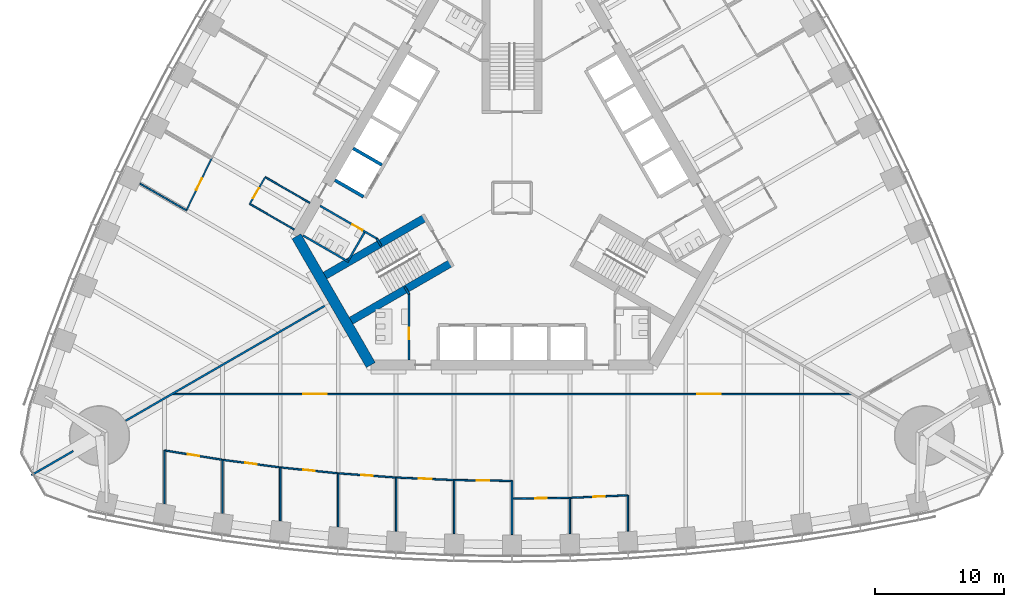
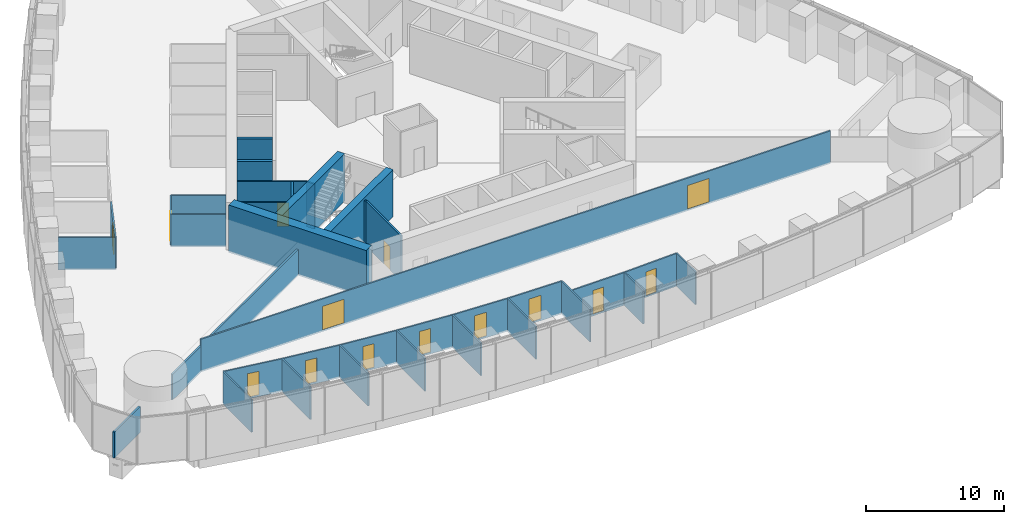
# One storey, part 10 of 18: 36 walls, 14 doors, 14 openings.
"""IFC4 building model written with IfcOpenShell, lengths in metres."""

from ifc_helpers import new_model, si_unit, direction, frame, frame_2d, origin, place, context, subcontext, project, spatial, rectangle, extrude, material, layer, layer_set, type_object, element, fill, save


model = new_model("IFC4")

# Units and contexts
model_context = context("Model", 3, precision=1e-05, world=origin(), true_north=direction((0.0, 1.0)))
body_context = subcontext(model_context, "Body", "Model", "MODEL_VIEW")
ifc_project = project(units=[si_unit("LENGTHUNIT", "METRE"), si_unit("AREAUNIT", "SQUARE_METRE"), si_unit("VOLUMEUNIT", "CUBIC_METRE"), si_unit("PLANEANGLEUNIT", "RADIAN"), si_unit("MASSUNIT", "GRAM", prefix="KILO")], contexts=[model_context])

# Site, building, storey
site_placement = place(None, origin())
site = spatial("IfcSite", under=ifc_project, at=site_placement, CompositionType="ELEMENT")
building_placement = place(site_placement, origin())
building = spatial("IfcBuilding", under=site, at=building_placement, Name="Trefoil Bronze Tower", CompositionType="ELEMENT")
storey_placement = place(building_placement, frame((0.0, 0.0, 33.300048828125)))
storey = spatial("IfcBuildingStorey", under=building, at=storey_placement, Name="L07", CompositionType="ELEMENT", Elevation=33.300048828125)

# Wall
ifc_material_1 = material(Name="Concrete B80", Category="concrete")
ifc_layer_1 = layer(ifc_material_1, 0.800048828125)
ifc_layer_set_1 = layer_set([ifc_layer_1], Name="Core wall 800")
wall_type_1 = type_object("IfcWallType", Name="Core wall 800", PredefinedType="SHEAR", material=ifc_layer_set_1)
wall_1_placement = place(storey_placement, frame((-16.7431640625, -3.0, 0.0), z_axis=(0.0, 0.0, 1.0), x_axis=(0.499995765644, -0.866027848477, 0.0)))
element("IfcWall", 1, at=wall_1_placement, inside=storey, type_object=wall_type_1, Name="Core short wall 3 L07", PredefinedType="SHEAR", context=body_context, shape_type="SweptSolid", body=[
    extrude(rectangle(XDim=11.546875, YDim=0.800048828125, at=frame_2d((5.7734375, 0.0))), origin(), (0.0, 0.0, 1.0), 4.199951171875),
])

# Wall, openings, doors
ifc_material_2 = material(Name="Glazed partition", Category="glass")
ifc_layer_2 = layer(ifc_material_2, 0.1201171875)
ifc_layer_set_2 = layer_set([ifc_layer_2], Name="Glazed partition 120")
wall_type_2 = type_object("IfcWallType", Name="Glazed partition 120", PredefinedType="PARTITIONING", material=ifc_layer_set_2)
wall_2_placement = place(storey_placement, frame((-26.398193359375, -15.260009765625, 0.0), z_axis=(0.0, 0.0, 1.0), x_axis=(1.0, 0.0, 0.0)))
wall_2 = element("IfcWall", 2, at=wall_2_placement, inside=storey, type_object=wall_type_2, Name="Partition F1 L07", PredefinedType="PARTITIONING", context=body_context, shape_type="SweptSolid", body=[
    extrude(rectangle(XDim=52.79638671875, YDim=0.1201171875, at=frame_2d((26.398193359375, 0.0))), origin(), (0.0, 0.0, 1.0), 2.89990234375),
])
opening_1_placement = place(wall_2_placement, frame((10.199951171875, 0.0, 0.14990234375)))
opening_1 = element("IfcOpeningElement", 3, at=opening_1_placement, cuts=wall_2, Name="Opening D10", PredefinedType="OPENING", context=body_context, shape_type="SweptSolid", body=[
    extrude(rectangle(XDim=1.800048828125, YDim=2.10009765625, at=frame_2d((0.89990234375, 1.050048828125))), frame((0.0, 0.070068359375, 0.0), z_axis=(0.0, -1.0, 0.0), x_axis=(1.0, 0.0, 0.0)), (0.0, 0.0, 1.0), 0.14013671875),
])
opening_2_placement = place(wall_2_placement, frame((40.800048828125, 0.0, 0.14990234375)))
opening_2 = element("IfcOpeningElement", 4, at=opening_2_placement, cuts=wall_2, Name="Opening D10", PredefinedType="OPENING", context=body_context, shape_type="SweptSolid", body=[
    extrude(rectangle(XDim=1.800048828125, YDim=2.10009765625, at=frame_2d((0.89990234375, 1.050048828125))), frame((0.0, 0.070068359375, 0.0), z_axis=(0.0, -1.0, 0.0), x_axis=(1.0, 0.0, 0.0)), (0.0, 0.0, 1.0), 0.14013671875),
])
ifc_material_3 = material(Name="Timber door", Category="wood")
door_type_1 = type_object("IfcDoorType", Name="Double door 1800", OperationType="DOUBLE_DOOR_SINGLE_SWING", PredefinedType="DOOR", material=ifc_material_3)
door_1_placement = place(opening_1_placement, origin())
door_1 = element("IfcDoor", 5, at=door_1_placement, inside=storey, type_object=door_type_1, Name="Corridor door F1 L07", OperationType="DOUBLE_DOOR_SINGLE_SWING", OverallHeight=2.10009765625, OverallWidth=1.800048828125, PredefinedType="DOOR", context=body_context, shape_type="SweptSolid", body=[
    extrude(rectangle(XDim=1.800048828125, YDim=2.10009765625, at=frame_2d((0.89990234375, 1.050048828125))), frame((0.0, 0.02490234375, 0.0), z_axis=(0.0, -1.0, 0.0), x_axis=(1.0, 0.0, 0.0)), (0.0, 0.0, 1.0), 0.050048828125),
])
fill(opening_1, door_1)
door_2_placement = place(opening_2_placement, origin())
door_2 = element("IfcDoor", 6, at=door_2_placement, inside=storey, type_object=door_type_1, Name="Corridor door F1 L07", OperationType="DOUBLE_DOOR_SINGLE_SWING", OverallHeight=2.10009765625, OverallWidth=1.800048828125, PredefinedType="DOOR", context=body_context, shape_type="SweptSolid", body=[
    extrude(rectangle(XDim=1.800048828125, YDim=2.10009765625, at=frame_2d((0.89990234375, 1.050048828125))), frame((0.0, 0.02490234375, 0.0), z_axis=(0.0, -1.0, 0.0), x_axis=(1.0, 0.0, 0.0)), (0.0, 0.0, 1.0), 0.050048828125),
])
fill(opening_2, door_2)

# Wall, opening, door
wall_3_placement = place(storey_placement, frame((0.0, -23.378662109375, 0.0), z_axis=(0.0, 0.0, 1.0), x_axis=(0.999895099088, 0.014484157523, 0.0)))
wall_3 = element("IfcWall", 7, at=wall_3_placement, inside=storey, type_object=wall_type_2, Name="Partition F1 L07", PredefinedType="PARTITIONING", context=body_context, shape_type="SweptSolid", body=[
    extrude(rectangle(XDim=4.50048828125, YDim=0.1201171875, at=frame_2d((2.250244140625, 0.0))), origin(), (0.0, 0.0, 1.0), 2.89990234375),
])
opening_3_placement = place(wall_3_placement, frame((1.800048828125, 0.0, 0.14990234375)))
opening_3 = element("IfcOpeningElement", 8, at=opening_3_placement, cuts=wall_3, Name="Opening D8", PredefinedType="OPENING", context=body_context, shape_type="SweptSolid", body=[
    extrude(rectangle(XDim=0.89990234375, YDim=2.10009765625, at=frame_2d((0.449951171875, 1.050048828125))), frame((0.0, 0.070068359375, 0.0), z_axis=(0.0, -1.0, 0.0), x_axis=(1.0, 0.0, 0.0)), (0.0, 0.0, 1.0), 0.14013671875),
])
ifc_material_4 = material(Name="Timber door", Category="wood")
door_type_2 = type_object("IfcDoorType", Name="Office door 900", OperationType="SINGLE_SWING_LEFT", PredefinedType="DOOR", material=ifc_material_4)
door_3_placement = place(opening_3_placement, frame((0.89990234375, 0.0, 0.0), z_axis=(0.0, 0.0, 1.0), x_axis=(-1.0, 0.0, 0.0)))
door_3 = element("IfcDoor", 9, at=door_3_placement, inside=storey, type_object=door_type_2, Name="Pantry door F1 L07", OperationType="SINGLE_SWING_RIGHT", OverallHeight=2.10009765625, OverallWidth=0.89990234375, PredefinedType="DOOR", context=body_context, shape_type="SweptSolid", body=[
    extrude(rectangle(XDim=0.89990234375, YDim=2.10009765625, at=frame_2d((0.449951171875, 1.050048828125))), frame((0.0, 0.02490234375, 0.0), z_axis=(0.0, -1.0, 0.0), x_axis=(1.0, 0.0, 0.0)), (0.0, 0.0, 1.0), 0.050048828125),
])
fill(opening_3, door_3)

wall_4_placement = place(storey_placement, frame((4.5, -23.3134765625, 0.0), z_axis=(0.0, 0.0, 1.0), x_axis=(0.999052370647, 0.043524254212, 0.0)))
wall_4 = element("IfcWall", 10, at=wall_4_placement, inside=storey, type_object=wall_type_2, Name="Partition F1 L07", PredefinedType="PARTITIONING", context=body_context, shape_type="SweptSolid", body=[
    extrude(rectangle(XDim=4.504150390625, YDim=0.1201171875, at=frame_2d((2.251953125, 0.0))), origin(), (0.0, 0.0, 1.0), 2.89990234375),
])
opening_4_placement = place(wall_4_placement, frame((1.800048828125, 0.0, 0.14990234375)))
opening_4 = element("IfcOpeningElement", 11, at=opening_4_placement, cuts=wall_4, Name="Opening D8", PredefinedType="OPENING", context=body_context, shape_type="SweptSolid", body=[
    extrude(rectangle(XDim=0.89990234375, YDim=2.10009765625, at=frame_2d((0.449951171875, 1.050048828125))), frame((0.0, 0.070068359375, 0.0), z_axis=(0.0, -1.0, 0.0), x_axis=(1.0, 0.0, 0.0)), (0.0, 0.0, 1.0), 0.14013671875),
])
door_4_placement = place(opening_4_placement, frame((0.89990234375, 0.0, 0.0), z_axis=(0.0, 0.0, 1.0), x_axis=(-1.0, 0.0, 0.0)))
door_4 = element("IfcDoor", 12, at=door_4_placement, inside=storey, type_object=door_type_2, Name="Pantry door F1 L07", OperationType="SINGLE_SWING_RIGHT", OverallHeight=2.10009765625, OverallWidth=0.89990234375, PredefinedType="DOOR", context=body_context, shape_type="SweptSolid", body=[
    extrude(rectangle(XDim=0.89990234375, YDim=2.10009765625, at=frame_2d((0.449951171875, 1.050048828125))), frame((0.0, 0.02490234375, 0.0), z_axis=(0.0, -1.0, 0.0), x_axis=(1.0, 0.0, 0.0)), (0.0, 0.0, 1.0), 0.050048828125),
])
fill(opening_4, door_4)

wall_5_placement = place(storey_placement, frame((-13.5, -21.409912109375, 0.0), z_axis=(0.0, 0.0, 1.0), x_axis=(0.997363894896, -0.072562119306, 0.0)))
wall_5 = element("IfcWall", 13, at=wall_5_placement, inside=storey, type_object=wall_type_2, Name="Partition F1 L07", PredefinedType="PARTITIONING", context=body_context, shape_type="SweptSolid", body=[
    extrude(rectangle(XDim=4.511962890625, YDim=0.1201171875, at=frame_2d((2.255859375, 0.0))), origin(), (0.0, 0.0, 1.0), 2.89990234375),
])
opening_5_placement = place(wall_5_placement, frame((1.800048828125, 0.0, 0.14990234375)))
opening_5 = element("IfcOpeningElement", 14, at=opening_5_placement, cuts=wall_5, Name="Opening D8", PredefinedType="OPENING", context=body_context, shape_type="SweptSolid", body=[
    extrude(rectangle(XDim=0.89990234375, YDim=2.10009765625, at=frame_2d((0.449951171875, 1.050048828125))), frame((0.0, 0.070068359375, 0.0), z_axis=(0.0, -1.0, 0.0), x_axis=(1.0, 0.0, 0.0)), (0.0, 0.0, 1.0), 0.14013671875),
])
door_5_placement = place(opening_5_placement, frame((0.89990234375, 0.0, 0.0), z_axis=(0.0, 0.0, 1.0), x_axis=(-1.0, 0.0, 0.0)))
door_5 = element("IfcDoor", 15, at=door_5_placement, inside=storey, type_object=door_type_2, Name="Office door F1 L07", OperationType="SINGLE_SWING_RIGHT", OverallHeight=2.10009765625, OverallWidth=0.89990234375, PredefinedType="DOOR", context=body_context, shape_type="SweptSolid", body=[
    extrude(rectangle(XDim=0.89990234375, YDim=2.10009765625, at=frame_2d((0.449951171875, 1.050048828125))), frame((0.0, 0.02490234375, 0.0), z_axis=(0.0, -1.0, 0.0), x_axis=(1.0, 0.0, 0.0)), (0.0, 0.0, 1.0), 0.050048828125),
])
fill(opening_5, door_5)

wall_6_placement = place(storey_placement, frame((-18.0, -20.95068359375, 0.0), z_axis=(0.0, 0.0, 1.0), x_axis=(0.994833141332, -0.101523499286, 0.0)))
wall_6 = element("IfcWall", 16, at=wall_6_placement, inside=storey, type_object=wall_type_2, Name="Partition F1 L07", PredefinedType="PARTITIONING", context=body_context, shape_type="SweptSolid", body=[
    extrude(rectangle(XDim=4.5234375, YDim=0.1201171875, at=frame_2d((2.26171875, 0.0))), origin(), (0.0, 0.0, 1.0), 2.89990234375),
])
opening_6_placement = place(wall_6_placement, frame((1.800048828125, 0.0, 0.14990234375)))
opening_6 = element("IfcOpeningElement", 17, at=opening_6_placement, cuts=wall_6, Name="Opening D8", PredefinedType="OPENING", context=body_context, shape_type="SweptSolid", body=[
    extrude(rectangle(XDim=0.89990234375, YDim=2.10009765625, at=frame_2d((0.449951171875, 1.050048828125))), frame((0.0, 0.070068359375, 0.0), z_axis=(0.0, -1.0, 0.0), x_axis=(1.0, 0.0, 0.0)), (0.0, 0.0, 1.0), 0.14013671875),
])
door_6_placement = place(opening_6_placement, frame((0.89990234375, 0.0, 0.0), z_axis=(0.0, 0.0, 1.0), x_axis=(-1.0, 0.0, 0.0)))
door_6 = element("IfcDoor", 18, at=door_6_placement, inside=storey, type_object=door_type_2, Name="Office door F1 L07", OperationType="SINGLE_SWING_RIGHT", OverallHeight=2.10009765625, OverallWidth=0.89990234375, PredefinedType="DOOR", context=body_context, shape_type="SweptSolid", body=[
    extrude(rectangle(XDim=0.89990234375, YDim=2.10009765625, at=frame_2d((0.449951171875, 1.050048828125))), frame((0.0, 0.02490234375, 0.0), z_axis=(0.0, -1.0, 0.0), x_axis=(1.0, 0.0, 0.0)), (0.0, 0.0, 1.0), 0.050048828125),
])
fill(opening_6, door_6)

wall_7_placement = place(storey_placement, frame((-22.5, -20.35791015625, 0.0), z_axis=(0.0, 0.0, 1.0), x_axis=(0.991435244698, -0.130599217346, 0.0)))
wall_7 = element("IfcWall", 19, at=wall_7_placement, inside=storey, type_object=wall_type_2, Name="Partition F1 L07", PredefinedType="PARTITIONING", context=body_context, shape_type="SweptSolid", body=[
    extrude(rectangle(XDim=4.538818359375, YDim=0.1201171875, at=frame_2d((2.26953125, 0.0))), origin(), (0.0, 0.0, 1.0), 2.89990234375),
])
opening_7_placement = place(wall_7_placement, frame((1.800048828125, 0.0, 0.14990234375)))
opening_7 = element("IfcOpeningElement", 20, at=opening_7_placement, cuts=wall_7, Name="Opening D8", PredefinedType="OPENING", context=body_context, shape_type="SweptSolid", body=[
    extrude(rectangle(XDim=0.89990234375, YDim=2.10009765625, at=frame_2d((0.449951171875, 1.050048828125))), frame((0.0, 0.070068359375, 0.0), z_axis=(0.0, -1.0, 0.0), x_axis=(1.0, 0.0, 0.0)), (0.0, 0.0, 1.0), 0.14013671875),
])
door_7_placement = place(opening_7_placement, frame((0.89990234375, 0.0, 0.0), z_axis=(0.0, 0.0, 1.0), x_axis=(-1.0, 0.0, 0.0)))
door_7 = element("IfcDoor", 21, at=door_7_placement, inside=storey, type_object=door_type_2, Name="Office door F1 L07", OperationType="SINGLE_SWING_RIGHT", OverallHeight=2.10009765625, OverallWidth=0.89990234375, PredefinedType="DOOR", context=body_context, shape_type="SweptSolid", body=[
    extrude(rectangle(XDim=0.89990234375, YDim=2.10009765625, at=frame_2d((0.449951171875, 1.050048828125))), frame((0.0, 0.02490234375, 0.0), z_axis=(0.0, -1.0, 0.0), x_axis=(1.0, 0.0, 0.0)), (0.0, 0.0, 1.0), 0.050048828125),
])
fill(opening_7, door_7)

wall_8_placement = place(storey_placement, frame((-27.0, -19.63037109375, 0.0), z_axis=(0.0, 0.0, 1.0), x_axis=(0.987181300889, -0.159602879593, 0.0)))
wall_8 = element("IfcWall", 22, at=wall_8_placement, inside=storey, type_object=wall_type_2, Name="Partition F1 L07", PredefinedType="PARTITIONING", context=body_context, shape_type="SweptSolid", body=[
    extrude(rectangle(XDim=4.558349609375, YDim=0.1201171875, at=frame_2d((2.279296875, 0.0))), origin(), (0.0, 0.0, 1.0), 2.89990234375),
])
opening_8_placement = place(wall_8_placement, frame((1.85009765625, 0.0, 0.14990234375)))
opening_8 = element("IfcOpeningElement", 23, at=opening_8_placement, cuts=wall_8, Name="Opening D8", PredefinedType="OPENING", context=body_context, shape_type="SweptSolid", body=[
    extrude(rectangle(XDim=0.89990234375, YDim=2.10009765625, at=frame_2d((0.449951171875, 1.050048828125))), frame((0.0, 0.070068359375, 0.0), z_axis=(0.0, -1.0, 0.0), x_axis=(1.0, 0.0, 0.0)), (0.0, 0.0, 1.0), 0.14013671875),
])
door_8_placement = place(opening_8_placement, frame((0.89990234375, 0.0, 0.0), z_axis=(0.0, 0.0, 1.0), x_axis=(-1.0, 0.0, 0.0)))
door_8 = element("IfcDoor", 24, at=door_8_placement, inside=storey, type_object=door_type_2, Name="Office door F1 L07", OperationType="SINGLE_SWING_LEFT", OverallHeight=2.10009765625, OverallWidth=0.89990234375, PredefinedType="DOOR", context=body_context, shape_type="SweptSolid", body=[
    extrude(rectangle(XDim=0.89990234375, YDim=2.10009765625, at=frame_2d((0.449951171875, 1.050048828125))), frame((0.0, 0.02490234375, 0.0), z_axis=(0.0, -1.0, 0.0), x_axis=(1.0, 0.0, 0.0)), (0.0, 0.0, 1.0), 0.050048828125),
])
fill(opening_8, door_8)

wall_9_placement = place(storey_placement, frame((-4.5, -21.933349609375, 0.0), z_axis=(0.0, 0.0, 1.0), x_axis=(0.999894311967, -0.014538393859, 0.0)))
wall_9 = element("IfcWall", 25, at=wall_9_placement, inside=storey, type_object=wall_type_2, Name="Partition F1 L07", PredefinedType="PARTITIONING", context=body_context, shape_type="SweptSolid", body=[
    extrude(rectangle(XDim=4.50048828125, YDim=0.1201171875, at=frame_2d((2.250244140625, 0.0))), origin(), (0.0, 0.0, 1.0), 2.89990234375),
])
opening_9_placement = place(wall_9_placement, frame((1.75, 0.0, 0.14990234375)))
opening_9 = element("IfcOpeningElement", 26, at=opening_9_placement, cuts=wall_9, Name="Opening D9", PredefinedType="OPENING", context=body_context, shape_type="SweptSolid", body=[
    extrude(rectangle(XDim=1.0, YDim=2.10009765625, at=frame_2d((0.5, 1.050048828125))), frame((0.0, 0.070068359375, 0.0), z_axis=(0.0, -1.0, 0.0), x_axis=(1.0, 0.0, 0.0)), (0.0, 0.0, 1.0), 0.14013671875),
])
ifc_material_5 = material(Name="Glazed timber door", Category="wood")
door_type_3 = type_object("IfcDoorType", Name="Meeting room door 1000", OperationType="SINGLE_SWING_LEFT", PredefinedType="DOOR", material=ifc_material_5)
door_9_placement = place(opening_9_placement, frame((1.0, 0.0, 0.0), z_axis=(0.0, 0.0, 1.0), x_axis=(-1.0, 0.0, 0.0)))
door_9 = element("IfcDoor", 27, at=door_9_placement, inside=storey, type_object=door_type_3, Name="Meeting room door F1 L07", OperationType="SINGLE_SWING_RIGHT", OverallHeight=2.10009765625, OverallWidth=1.0, PredefinedType="DOOR", context=body_context, shape_type="SweptSolid", body=[
    extrude(rectangle(XDim=1.0, YDim=2.10009765625, at=frame_2d((0.5, 1.050048828125))), frame((0.0, 0.02490234375, 0.0), z_axis=(0.0, -1.0, 0.0), x_axis=(1.0, 0.0, 0.0)), (0.0, 0.0, 1.0), 0.050048828125),
])
fill(opening_9, door_9)

wall_10_placement = place(storey_placement, frame((-9.0, -21.7373046875, 0.0), z_axis=(0.0, 0.0, 1.0), x_axis=(0.999052370647, -0.043524254212, 0.0)))
wall_10 = element("IfcWall", 28, at=wall_10_placement, inside=storey, type_object=wall_type_2, Name="Partition F1 L07", PredefinedType="PARTITIONING", context=body_context, shape_type="SweptSolid", body=[
    extrude(rectangle(XDim=4.504150390625, YDim=0.1201171875, at=frame_2d((2.251953125, 0.0))), origin(), (0.0, 0.0, 1.0), 2.89990234375),
])
opening_10_placement = place(wall_10_placement, frame((1.75, 0.0, 0.14990234375)))
opening_10 = element("IfcOpeningElement", 29, at=opening_10_placement, cuts=wall_10, Name="Opening D9", PredefinedType="OPENING", context=body_context, shape_type="SweptSolid", body=[
    extrude(rectangle(XDim=1.0, YDim=2.10009765625, at=frame_2d((0.5, 1.050048828125))), frame((0.0, 0.070068359375, 0.0), z_axis=(0.0, -1.0, 0.0), x_axis=(1.0, 0.0, 0.0)), (0.0, 0.0, 1.0), 0.14013671875),
])
door_10_placement = place(opening_10_placement, frame((1.0, 0.0, 0.0), z_axis=(0.0, 0.0, 1.0), x_axis=(-1.0, 0.0, 0.0)))
door_10 = element("IfcDoor", 30, at=door_10_placement, inside=storey, type_object=door_type_3, Name="Meeting room door F1 L07", OperationType="SINGLE_SWING_RIGHT", OverallHeight=2.10009765625, OverallWidth=1.0, PredefinedType="DOOR", context=body_context, shape_type="SweptSolid", body=[
    extrude(rectangle(XDim=1.0, YDim=2.10009765625, at=frame_2d((0.5, 1.050048828125))), frame((0.0, 0.02490234375, 0.0), z_axis=(0.0, -1.0, 0.0), x_axis=(1.0, 0.0, 0.0)), (0.0, 0.0, 1.0), 0.050048828125),
])
fill(opening_10, door_10)

# Walls
wall_11_placement = place(storey_placement, frame((0.0, -21.998779296875, 0.0), z_axis=(0.0, 0.0, 1.0), x_axis=(0.0, -1.0, 0.0)))
element("IfcWall", 31, at=wall_11_placement, inside=storey, type_object=wall_type_2, Name="Partition F1 L07", PredefinedType="PARTITIONING", context=body_context, shape_type="SweptSolid", body=[
    extrude(rectangle(XDim=4.169921875, YDim=0.1201171875, at=frame_2d((2.0849609375, 0.0))), origin(), (0.0, 0.0, 1.0), 2.89990234375),
])
wall_12_placement = place(storey_placement, frame((4.5, -23.3134765625, 0.0), z_axis=(0.0, 0.0, 1.0), x_axis=(0.0, -1.0, 0.0)))
element("IfcWall", 32, at=wall_12_placement, inside=storey, type_object=wall_type_2, Name="Partition F1 L07", PredefinedType="PARTITIONING", context=body_context, shape_type="SweptSolid", body=[
    extrude(rectangle(XDim=2.789306640625, YDim=0.1201171875, at=frame_2d((1.39453125, 0.0))), origin(), (0.0, 0.0, 1.0), 2.89990234375),
])
wall_13_placement = place(storey_placement, frame((9.0, -23.117431640625, 0.0), z_axis=(0.0, 0.0, 1.0), x_axis=(0.0, -1.0, 0.0)))
element("IfcWall", 33, at=wall_13_placement, inside=storey, type_object=wall_type_2, Name="Partition F1 L07", PredefinedType="PARTITIONING", context=body_context, shape_type="SweptSolid", body=[
    extrude(rectangle(XDim=2.787353515625, YDim=0.1201171875, at=frame_2d((1.3935546875, 0.0))), origin(), (0.0, 0.0, 1.0), 2.89990234375),
])
wall_14_placement = place(storey_placement, frame((-13.5, -21.409912109375, 0.0), z_axis=(0.0, 0.0, 1.0), x_axis=(0.0, -1.0, 0.0)))
element("IfcWall", 34, at=wall_14_placement, inside=storey, type_object=wall_type_2, Name="Partition F1 L07", PredefinedType="PARTITIONING", context=body_context, shape_type="SweptSolid", body=[
    extrude(rectangle(XDim=4.1640625, YDim=0.1201171875, at=frame_2d((2.08203125, 0.0))), origin(), (0.0, 0.0, 1.0), 2.89990234375),
])
wall_15_placement = place(storey_placement, frame((-18.0, -20.95068359375, 0.0), z_axis=(0.0, 0.0, 1.0), x_axis=(0.0, -1.0, 0.0)))
element("IfcWall", 35, at=wall_15_placement, inside=storey, type_object=wall_type_2, Name="Partition F1 L07", PredefinedType="PARTITIONING", context=body_context, shape_type="SweptSolid", body=[
    extrude(rectangle(XDim=4.1591796875, YDim=0.1201171875, at=frame_2d((2.07958984375, 0.0))), origin(), (0.0, 0.0, 1.0), 2.89990234375),
])
wall_16_placement = place(storey_placement, frame((-22.5, -20.35791015625, 0.0), z_axis=(0.0, 0.0, 1.0), x_axis=(0.0, -1.0, 0.0)))
element("IfcWall", 36, at=wall_16_placement, inside=storey, type_object=wall_type_2, Name="Partition F1 L07", PredefinedType="PARTITIONING", context=body_context, shape_type="SweptSolid", body=[
    extrude(rectangle(XDim=4.1533203125, YDim=0.1201171875, at=frame_2d((2.07666015625, 0.0))), origin(), (0.0, 0.0, 1.0), 2.89990234375),
])
wall_17_placement = place(storey_placement, frame((-27.0, -19.63037109375, 0.0), z_axis=(0.0, 0.0, 1.0), x_axis=(0.0, -1.0, 0.0)))
element("IfcWall", 37, at=wall_17_placement, inside=storey, type_object=wall_type_2, Name="Partition F1 L07", PredefinedType="PARTITIONING", context=body_context, shape_type="SweptSolid", body=[
    extrude(rectangle(XDim=4.145751953125, YDim=0.1201171875, at=frame_2d((2.07275390625, 0.0))), origin(), (0.0, 0.0, 1.0), 2.89990234375),
])
wall_18_placement = place(storey_placement, frame((-4.5, -21.933349609375, 0.0), z_axis=(0.0, 0.0, 1.0), x_axis=(0.0, -1.0, 0.0)))
element("IfcWall", 38, at=wall_18_placement, inside=storey, type_object=wall_type_2, Name="Partition F1 L07", PredefinedType="PARTITIONING", context=body_context, shape_type="SweptSolid", body=[
    extrude(rectangle(XDim=4.16943359375, YDim=0.1201171875, at=frame_2d((2.084716796875, 0.0))), origin(), (0.0, 0.0, 1.0), 2.89990234375),
])
wall_19_placement = place(storey_placement, frame((-9.0, -21.7373046875, 0.0), z_axis=(0.0, 0.0, 1.0), x_axis=(0.0, -1.0, 0.0)))
element("IfcWall", 39, at=wall_19_placement, inside=storey, type_object=wall_type_2, Name="Partition F1 L07", PredefinedType="PARTITIONING", context=body_context, shape_type="SweptSolid", body=[
    extrude(rectangle(XDim=4.16748046875, YDim=0.1201171875, at=frame_2d((2.083740234375, 0.0))), origin(), (0.0, 0.0, 1.0), 2.89990234375),
])

# Wall, opening, door
wall_20_placement = place(storey_placement, frame((-19.1689453125, 1.5986328125, 0.0), z_axis=(0.0, 0.0, 1.0), x_axis=(-0.499957262057, -0.866050077142, 0.0)))
wall_20 = element("IfcWall", 40, at=wall_20_placement, inside=storey, type_object=wall_type_2, Name="Partition F3 L07", PredefinedType="PARTITIONING", context=body_context, shape_type="SweptSolid", body=[
    extrude(rectangle(XDim=2.400146484375, YDim=0.1201171875, at=frame_2d((1.2001953125, 0.0))), origin(), (0.0, 0.0, 1.0), 2.89990234375),
])
opening_11_placement = place(wall_20_placement, frame((1.0, 0.0, 0.14990234375)))
opening_11 = element("IfcOpeningElement", 41, at=opening_11_placement, cuts=wall_20, Name="Opening D8", PredefinedType="OPENING", context=body_context, shape_type="SweptSolid", body=[
    extrude(rectangle(XDim=0.89990234375, YDim=2.10009765625, at=frame_2d((0.449951171875, 1.050048828125))), frame((0.0, 0.070068359375, 0.0), z_axis=(0.0, -1.0, 0.0), x_axis=(1.0, 0.0, 0.0)), (0.0, 0.0, 1.0), 0.14013671875),
])
door_11_placement = place(opening_11_placement, origin())
door_11 = element("IfcDoor", 42, at=door_11_placement, inside=storey, type_object=door_type_2, Name="Store door F3 L07", OperationType="SINGLE_SWING_RIGHT", OverallHeight=2.10009765625, OverallWidth=0.89990234375, PredefinedType="DOOR", context=body_context, shape_type="SweptSolid", body=[
    extrude(rectangle(XDim=0.89990234375, YDim=2.10009765625, at=frame_2d((0.449951171875, 1.050048828125))), frame((0.0, 0.02490234375, 0.0), z_axis=(0.0, -1.0, 0.0), x_axis=(1.0, 0.0, 0.0)), (0.0, 0.0, 1.0), 0.050048828125),
])
fill(opening_11, door_11)

# Walls
for number, where, z_axis, x_axis, name in (
    (43, (-16.90478515625, -2.47998046875, 0.0), (0.0, 0.0, 1.0), (-0.866026010844, 0.49999894854, 0.0), "Partition F3 L07"),
    (44, (-15.704833984375, -0.4013671875, 0.0), (0.0, 0.0, 1.0), (-0.866026010844, 0.49999894854, 0.0), "Partition F3 L07"),
):
    element("IfcWall", number, at=place(storey_placement, frame(where, z_axis=z_axis, x_axis=x_axis)), inside=storey, type_object=wall_type_2, Name=name, PredefinedType="PARTITIONING", context=body_context, shape_type="SweptSolid", body=[
        extrude(rectangle(XDim=4.0, YDim=0.1201171875, at=frame_2d((2.0, 0.0))), origin(), (0.0, 0.0, 1.0), 2.89990234375),
    ])

# Wall, opening, door
wall_21_placement = place(storey_placement, frame((-23.3251953125, 3.074462890625, 0.0), z_axis=(0.0, 0.0, 1.0), x_axis=(-0.435857917556, -0.900015486369, 0.0)))
wall_21 = element("IfcWall", 45, at=wall_21_placement, inside=storey, type_object=wall_type_2, Name="Partition F3 L07", PredefinedType="PARTITIONING", context=body_context, shape_type="SweptSolid", body=[
    extrude(rectangle(XDim=4.511962890625, YDim=0.1201171875, at=frame_2d((2.255859375, 0.0))), origin(), (0.0, 0.0, 1.0), 2.89990234375),
])
opening_12_placement = place(wall_21_placement, frame((1.75, 0.0, 0.14990234375)))
opening_12 = element("IfcOpeningElement", 46, at=opening_12_placement, cuts=wall_21, Name="Opening D9", PredefinedType="OPENING", context=body_context, shape_type="SweptSolid", body=[
    extrude(rectangle(XDim=1.0, YDim=2.10009765625, at=frame_2d((0.5, 1.050048828125))), frame((0.0, 0.070068359375, 0.0), z_axis=(0.0, -1.0, 0.0), x_axis=(1.0, 0.0, 0.0)), (0.0, 0.0, 1.0), 0.14013671875),
])
door_12_placement = place(opening_12_placement, frame((1.0, 0.0, 0.0), z_axis=(0.0, 0.0, 1.0), x_axis=(-1.0, 0.0, 0.0)))
door_12 = element("IfcDoor", 47, at=door_12_placement, inside=storey, type_object=door_type_3, Name="Meeting room door F3 L07", OperationType="SINGLE_SWING_RIGHT", OverallHeight=2.10009765625, OverallWidth=1.0, PredefinedType="DOOR", context=body_context, shape_type="SweptSolid", body=[
    extrude(rectangle(XDim=1.0, YDim=2.10009765625, at=frame_2d((0.5, 1.050048828125))), frame((0.0, 0.02490234375, 0.0), z_axis=(0.0, -1.0, 0.0), x_axis=(1.0, 0.0, 0.0)), (0.0, 0.0, 1.0), 0.050048828125),
])
fill(opening_12, door_12)

# Wall
wall_22_placement = place(storey_placement, frame((-25.291748046875, -0.986328125, 0.0), z_axis=(0.0, 0.0, 1.0), x_axis=(-0.866011781705, 0.500023593391, 0.0)))
element("IfcWall", 48, at=wall_22_placement, inside=storey, type_object=wall_type_2, Name="Partition F3 L07", PredefinedType="PARTITIONING", context=body_context, shape_type="SweptSolid", body=[
    extrude(rectangle(XDim=4.163818359375, YDim=0.1201171875, at=frame_2d((2.08203125, 0.0))), origin(), (0.0, 0.0, 1.0), 2.89990234375),
])

# Wall, opening, door
ifc_material_6 = material(Name="Gypsum board on steel studs", Category="steel")
ifc_layer_3 = layer(ifc_material_6, 0.14990234375)
ifc_layer_set_3 = layer_set([ifc_layer_3], Name="Partition 150")
wall_type_3 = type_object("IfcWallType", Name="Partition 150", PredefinedType="PARTITIONING", material=ifc_layer_set_3)
wall_23_placement = place(storey_placement, frame((-8.0, -7.5, 0.0), z_axis=(0.0, 0.0, 1.0), x_axis=(0.0, -1.0, 0.0)))
wall_23 = element("IfcWall", 49, at=wall_23_placement, inside=storey, type_object=wall_type_3, Name="Passage wall F1- L07", PredefinedType="PARTITIONING", context=body_context, shape_type="SweptSolid", body=[
    extrude(rectangle(XDim=5.10009765625, YDim=0.14990234375, at=frame_2d((2.550048828125, 0.0))), origin(), (0.0, 0.0, 1.0), 4.0),
])
opening_13_placement = place(wall_23_placement, frame((2.60009765625, 0.0, 0.0)))
opening_13 = element("IfcOpeningElement", 50, at=opening_13_placement, cuts=wall_23, Name="Opening D3", PredefinedType="OPENING", context=body_context, shape_type="SweptSolid", body=[
    extrude(rectangle(XDim=0.89990234375, YDim=2.10009765625, at=frame_2d((0.449951171875, 1.050048828125))), frame((0.0, 0.0849609375, 0.0), z_axis=(0.0, -1.0, 0.0), x_axis=(1.0, 0.0, 0.0)), (0.0, 0.0, 1.0), 0.169921875),
])
ifc_material_7 = material(Name="Timber door", Category="wood")
door_type_4 = type_object("IfcDoorType", Name="WC door 900", OperationType="SINGLE_SWING_LEFT", PredefinedType="DOOR", material=ifc_material_7)
door_13_placement = place(opening_13_placement, frame((0.89990234375, 0.0, 0.0), z_axis=(0.0, 0.0, 1.0), x_axis=(-1.0, 0.0, 0.0)))
door_13 = element("IfcDoor", 51, at=door_13_placement, inside=storey, type_object=door_type_4, Name="WC (women) door L07", OperationType="SINGLE_SWING_LEFT", OverallHeight=2.10009765625, OverallWidth=0.89990234375, PredefinedType="DOOR", context=body_context, shape_type="SweptSolid", body=[
    extrude(rectangle(XDim=0.89990234375, YDim=2.10009765625, at=frame_2d((0.449951171875, 1.050048828125))), frame((0.0, 0.02490234375, 0.0), z_axis=(0.0, -1.0, 0.0), x_axis=(1.0, 0.0, 0.0)), (0.0, 0.0, 1.0), 0.050048828125),
])
fill(opening_13, door_13)

wall_24_placement = place(storey_placement, frame((-10.4951171875, -3.17822265625, 0.0), z_axis=(0.0, 0.0, 1.0), x_axis=(-0.86602216432, 0.500005610874, 0.0)))
wall_24 = element("IfcWall", 52, at=wall_24_placement, inside=storey, type_object=wall_type_3, Name="Passage wall F3+ L07", PredefinedType="PARTITIONING", context=body_context, shape_type="SweptSolid", body=[
    extrude(rectangle(XDim=5.10009765625, YDim=0.14990234375, at=frame_2d((2.550048828125, 0.0))), origin(), (0.0, 0.0, 1.0), 4.0),
])
opening_14_placement = place(wall_24_placement, frame((1.300048828125, 0.0, 0.0)))
opening_14 = element("IfcOpeningElement", 53, at=opening_14_placement, cuts=wall_24, Name="Opening D3", PredefinedType="OPENING", context=body_context, shape_type="SweptSolid", body=[
    extrude(rectangle(XDim=0.89990234375, YDim=2.10009765625, at=frame_2d((0.449951171875, 1.050048828125))), frame((0.0, 0.0849609375, 0.0), z_axis=(0.0, -1.0, 0.0), x_axis=(1.0, 0.0, 0.0)), (0.0, 0.0, 1.0), 0.169921875),
])
door_14_placement = place(opening_14_placement, origin())
door_14 = element("IfcDoor", 54, at=door_14_placement, inside=storey, type_object=door_type_4, Name="WC (men) door L07", OperationType="SINGLE_SWING_LEFT", OverallHeight=2.10009765625, OverallWidth=0.89990234375, PredefinedType="DOOR", context=body_context, shape_type="SweptSolid", body=[
    extrude(rectangle(XDim=0.89990234375, YDim=2.10009765625, at=frame_2d((0.449951171875, 1.050048828125))), frame((0.0, 0.02490234375, 0.0), z_axis=(0.0, -1.0, 0.0), x_axis=(1.0, 0.0, 0.0)), (0.0, 0.0, 1.0), 0.050048828125),
])
fill(opening_14, door_14)

# Walls
for number, where, z_axis, x_axis, name in (
    (55, (-10.4951171875, -3.17822265625, 0.0), (0.0, 0.0, 1.0), (0.499842556608, -0.866116284689, 0.0), "WC wall ST3-1 L07"),
    (56, (-8.0, -7.5, 0.0), (0.0, 0.0, 1.0), (-0.499842556608, 0.866116284689, 0.0), "WC wall ST3+1 L07"),
):
    element("IfcWall", number, at=place(storey_placement, frame(where, z_axis=z_axis, x_axis=x_axis)), inside=storey, type_object=wall_type_3, Name=name, PredefinedType="PARTITIONING", context=body_context, shape_type="SweptSolid", body=[
        extrude(rectangle(XDim=0.645263671875, YDim=0.14990234375, at=frame_2d((0.32275390625, 0.0))), origin(), (0.0, 0.0, 1.0), 4.0),
    ])
wall_25_placement = place(storey_placement, frame((-12.691162109375, -4.98193359375, 0.0), z_axis=(0.0, 0.0, 1.0), x_axis=(-0.8660249478, 0.500000789788, 0.0)))
element("IfcWall", 57, at=wall_25_placement, inside=storey, type_object=wall_type_3, Name="WC partition WC (men) L07", PredefinedType="PARTITIONING", context=body_context, shape_type="SweptSolid", body=[
    extrude(rectangle(XDim=4.10009765625, YDim=0.14990234375, at=frame_2d((2.050048828125, 0.0))), origin(), (0.0, 0.0, 1.0), 4.0),
])
wall_26_placement = place(storey_placement, frame((-11.463623046875, -2.70556640625, 0.0), z_axis=(0.0, 0.0, 1.0), x_axis=(-0.50001992892, -0.866013897511, 0.0)))
element("IfcWall", 58, at=wall_26_placement, inside=storey, type_object=wall_type_3, Name="WC partition WC (men) L07", PredefinedType="PARTITIONING", context=body_context, shape_type="SweptSolid", body=[
    extrude(rectangle(XDim=2.51025390625, YDim=0.14990234375, at=frame_2d((1.255126953125, 0.0))), origin(), (0.0, 0.0, 1.0), 4.0),
])
ifc_material_8 = material(Name="Gypsum board on steel studs", Category="steel")
ifc_layer_4 = layer(ifc_material_8, 0.14990234375)
ifc_layer_set_4 = layer_set([ifc_layer_4], Name="Party wall 150")
wall_type_4 = type_object("IfcWallType", Name="Party wall 150", PredefinedType="PARTITIONING", material=ifc_layer_set_4)
wall_27_placement = place(storey_placement, frame((-14.202880859375, -8.199951171875, 0.0), z_axis=(0.0, 0.0, 1.0), x_axis=(-0.866024965723, -0.500000758745, 0.0)))
element("IfcWall", 59, at=wall_27_placement, inside=storey, type_object=wall_type_4, Name="Party wall K3 L07", PredefinedType="PARTITIONING", context=body_context, shape_type="SweptSolid", body=[
    extrude(rectangle(XDim=18.25, YDim=0.14990234375, at=frame_2d((9.125, 0.0))), origin(), (0.0, 0.0, 1.0), 2.300048828125),
])
wall_28_placement = place(storey_placement, frame((-34.078125, -19.675048828125, 0.0), z_axis=(0.0, 0.0, 1.0), x_axis=(-0.866019247219, -0.500010663332, 0.0)))
element("IfcWall", 60, at=wall_28_placement, inside=storey, type_object=wall_type_4, Name="Party wall K3 L07", PredefinedType="PARTITIONING", context=body_context, shape_type="SweptSolid", body=[
    extrude(rectangle(XDim=3.76416015625, YDim=0.14990234375, at=frame_2d((1.882080078125, 0.0))), origin(), (0.0, 0.0, 1.0), 2.300048828125),
])
ifc_material_9 = material(Name="Concrete B80", Category="concrete")
ifc_layer_5 = layer(ifc_material_9, 0.25)
ifc_layer_set_5 = layer_set([ifc_layer_5], Name="Shaft wall 250")
wall_type_5 = type_object("IfcWallType", Name="Shaft wall 250", PredefinedType="SHEAR", material=ifc_layer_set_5)
for number, where, z_axis, x_axis, name in (
    (61, (-10.10693359375, 2.54443359375, 0.0), (0.0, 0.0, 1.0), (-0.866046643894, 0.499963209246, 0.0), "Lift shaft side wall C3 L07"),
    (62, (-11.531982421875, 0.076171875, 0.0), (0.0, 0.0, 1.0), (-0.866005588531, 0.500034319456, 0.0), "Lift shaft side wall C4 L07"),
):
    element("IfcWall", number, at=place(storey_placement, frame(where, z_axis=z_axis, x_axis=x_axis)), inside=storey, type_object=wall_type_5, Name=name, PredefinedType="SHEAR", context=body_context, shape_type="SweptSolid", body=[
        extrude(rectangle(XDim=2.574951171875, YDim=0.25, at=frame_2d((1.28759765625, 0.0))), origin(), (0.0, 0.0, 1.0), 4.199951171875),
    ])
ifc_material_10 = material(Name="Concrete B80", Category="concrete")
ifc_layer_6 = layer(ifc_material_10, 0.60009765625)
ifc_layer_set_6 = layer_set([ifc_layer_6], Name="Stair wall 600")
wall_type_6 = type_object("IfcWallType", Name="Stair wall 600", PredefinedType="SHEAR", material=ifc_layer_set_6)
for number, where, z_axis, x_axis, name in (
    (63, (-6.663330078125, -1.5087890625, 0.0), (0.0, 0.0, 1.0), (-0.866019375473, -0.500010441196, 0.0), "Stair wall ST3 L07"),
    (64, (-4.638427734375, -5.01611328125, 0.0), (0.0, 0.0, 1.0), (-0.866019375473, -0.500010441196, 0.0), "Stair wall ST3 L07"),
):
    element("IfcWall", number, at=place(storey_placement, frame(where, z_axis=z_axis, x_axis=x_axis)), inside=storey, type_object=wall_type_6, Name=name, PredefinedType="SHEAR", context=body_context, shape_type="SweptSolid", body=[
        extrude(rectangle(XDim=9.074951171875, YDim=0.60009765625, at=frame_2d((4.53759765625, 0.0))), origin(), (0.0, 0.0, 1.0), 4.199951171875),
    ])

save(model, "model.ifc")
